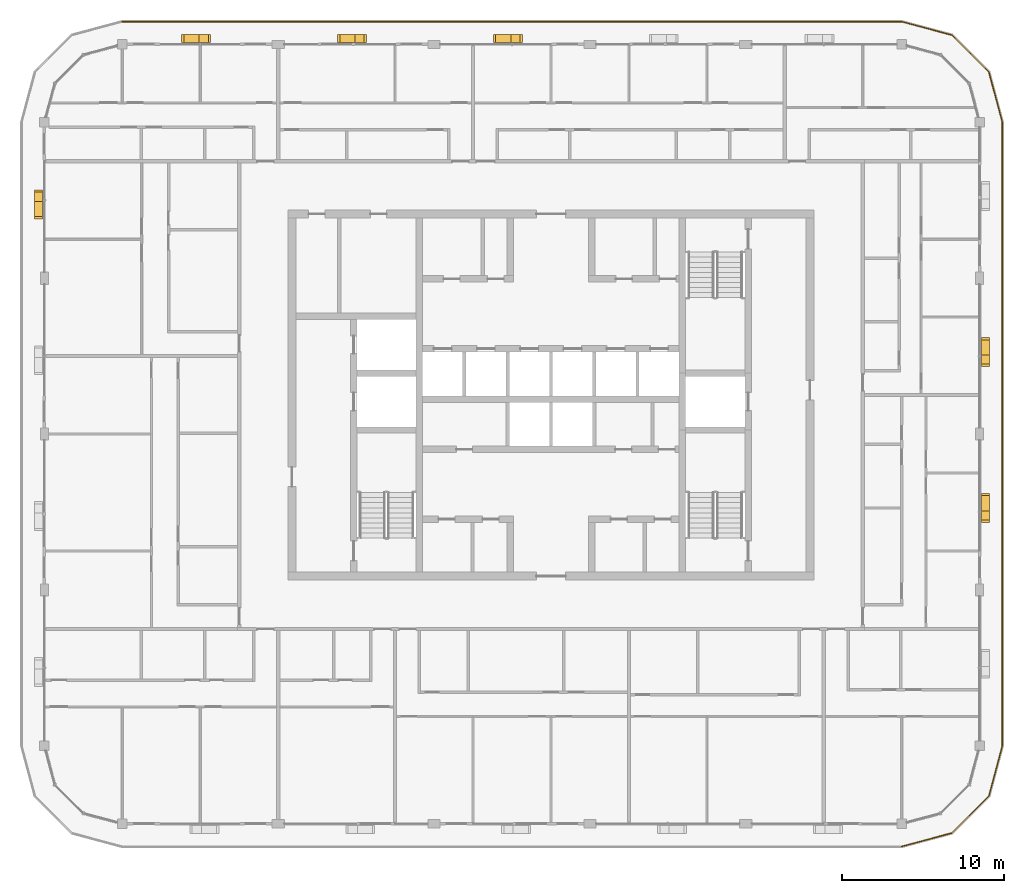
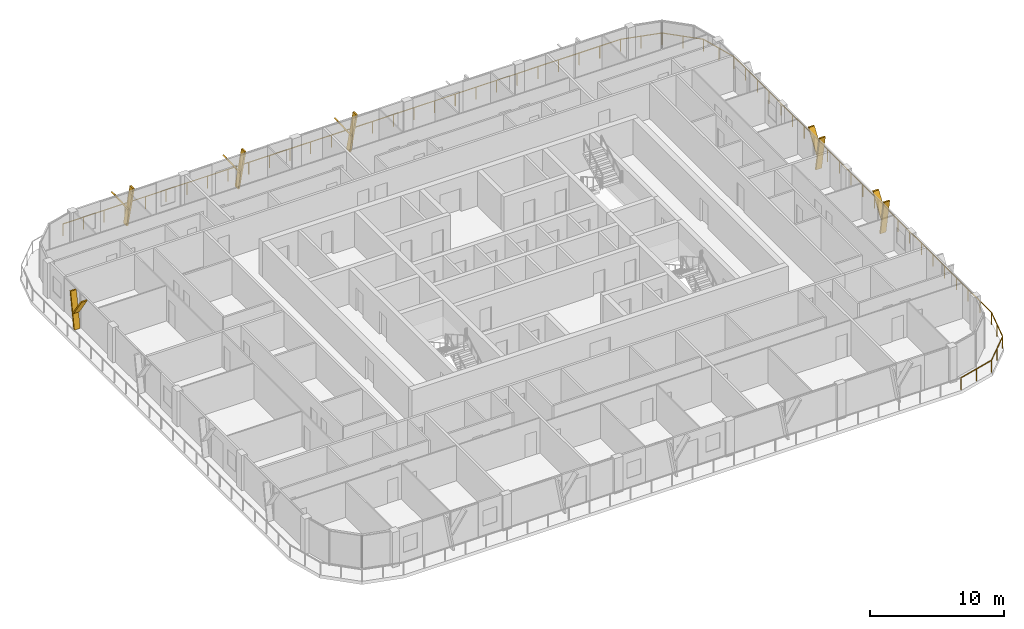
# One storey, part 21 of 22: 12 shading devices, 1 railing.
"""IFC4 building model written with IfcOpenShell, lengths in metres."""

from ifc_helpers import new_model, si_unit, direction, frame, origin, origin_2d, place, context, subcontext, project, spatial, polyline, circle, outline, extrude, material, type_object, element, save


model = new_model("IFC4")

# Units and contexts
model_context = context("Model", 3, precision=1e-05, world=origin(), true_north=direction((0.0, 1.0)))
body_context = subcontext(model_context, "Body", "Model", "MODEL_VIEW")
ifc_project = project(units=[si_unit("LENGTHUNIT", "METRE"), si_unit("AREAUNIT", "SQUARE_METRE"), si_unit("VOLUMEUNIT", "CUBIC_METRE"), si_unit("PLANEANGLEUNIT", "RADIAN"), si_unit("MASSUNIT", "GRAM", prefix="KILO")], contexts=[model_context])

# Site, building, storey
site_placement = place(None, origin())
site = spatial("IfcSite", under=ifc_project, at=site_placement, CompositionType="ELEMENT")
building_placement = place(site_placement, origin())
building = spatial("IfcBuilding", under=site, at=building_placement, Name="Madar Terraces", CompositionType="ELEMENT")
storey_placement = place(building_placement, frame((0.0, 0.0, 282.60009765625)))
storey = spatial("IfcBuildingStorey", under=building, at=storey_placement, Name="L74", CompositionType="ELEMENT", Elevation=282.60009765625)

# Railing
ifc_material_1 = material(Name="Glass, safety glazing, with stainless steel posts", Category="steel")
railing_type = type_object("IfcRailingType", Name="Balcony glass guard 1100", PredefinedType="GUARDRAIL", material=ifc_material_1)
railing_placement = place(storey_placement, frame((52.800048828125, -1.39990234375, 0.0)))
element("IfcRailing", 1, at=railing_placement, inside=storey, type_object=railing_type, Name="Balcony guard", PredefinedType="GUARDRAIL", context=body_context, shape_type="SweptSolid", body=[
    extrude(circle(Radius=0.02392578125, at=origin_2d()), frame((0.0, 0.0, 1.076171875), z_axis=(0.965928696102, 0.258808334578, 0.0), x_axis=(-0.258808334578, 0.965928696102, 0.0)), (0.0, 0.0, 1.0), 3.209228515625),
    extrude(circle(Radius=0.02392578125, at=origin_2d()), frame((3.099853515625, 0.83056640625, 1.076171875), z_axis=(0.707144815061, 0.707068745266, 0.0), x_axis=(-0.707068745266, 0.707144815061, 0.0)), (0.0, 0.0, 1.0), 3.20947265625),
    extrude(circle(Radius=0.02392578125, at=origin_2d()), frame((5.369384765625, 3.099853515625, 1.076171875), z_axis=(0.258789317819, 0.9659337912, 0.0), x_axis=(-0.9659337912, 0.258789317819, 0.0)), (0.0, 0.0, 1.0), 3.20947265625),
    extrude(circle(Radius=0.02392578125, at=origin_2d()), frame((6.199951171875, 6.199951171875, 1.076171875), z_axis=(0.0, 1.0, 0.0), x_axis=(-1.0, 0.0, 0.0)), (0.0, 0.0, 1.0), 38.39990234375),
    extrude(circle(Radius=0.02392578125, at=origin_2d()), frame((6.199951171875, 44.599853515625, 1.076171875), z_axis=(-0.258789317819, 0.9659337912, 0.0), x_axis=(-0.9659337912, -0.258789317819, 0.0)), (0.0, 0.0, 1.0), 3.20947265625),
    extrude(circle(Radius=0.02392578125, at=origin_2d()), frame((5.369384765625, 47.699951171875, 1.076171875), z_axis=(-0.707144815061, 0.707068745266, 0.0), x_axis=(-0.707068745266, -0.707144815061, 0.0)), (0.0, 0.0, 1.0), 3.20947265625),
    extrude(circle(Radius=0.02392578125, at=origin_2d()), frame((3.099853515625, 49.96923828125, 1.076171875), z_axis=(-0.965928696102, 0.258808334578, 0.0), x_axis=(-0.258808334578, -0.965928696102, 0.0)), (0.0, 0.0, 1.0), 3.209228515625),
    extrude(circle(Radius=0.02392578125, at=origin_2d()), frame((0.0, 50.7998046875, 1.076171875), z_axis=(-1.0, 0.0, 0.0), x_axis=(0.0, -1.0, 0.0)), (0.0, 0.0, 1.0), 48.0),
    extrude(circle(Radius=0.02099609375, at=origin_2d()), origin(), (0.0, 0.0, 1.0), 1.052001953125),
    extrude(circle(Radius=0.02099609375, at=origin_2d()), frame((1.5498046875, 0.415283203125, 0.0)), (0.0, 0.0, 1.0), 1.052001953125),
    extrude(circle(Radius=0.02099609375, at=origin_2d()), frame((3.099853515625, 0.83056640625, 0.0)), (0.0, 0.0, 1.0), 1.052001953125),
    extrude(circle(Radius=0.02099609375, at=origin_2d()), frame((4.234619140625, 1.96533203125, 0.0)), (0.0, 0.0, 1.0), 1.052001953125),
    extrude(circle(Radius=0.02099609375, at=origin_2d()), frame((5.369384765625, 3.099853515625, 0.0)), (0.0, 0.0, 1.0), 1.052001953125),
    extrude(circle(Radius=0.02099609375, at=origin_2d()), frame((5.78466796875, 4.64990234375, 0.0)), (0.0, 0.0, 1.0), 1.052001953125),
    extrude(circle(Radius=0.02099609375, at=origin_2d()), frame((6.199951171875, 6.199951171875, 0.0)), (0.0, 0.0, 1.0), 1.052001953125),
    extrude(circle(Radius=0.02099609375, at=origin_2d()), frame((6.199951171875, 7.9453125, 0.0)), (0.0, 0.0, 1.0), 1.052001953125),
    extrude(circle(Radius=0.02099609375, at=origin_2d()), frame((6.199951171875, 9.69091796875, 0.0)), (0.0, 0.0, 1.0), 1.052001953125),
    extrude(circle(Radius=0.02099609375, at=origin_2d()), frame((6.199951171875, 11.436279296875, 0.0)), (0.0, 0.0, 1.0), 1.052001953125),
    extrude(circle(Radius=0.02099609375, at=origin_2d()), frame((6.199951171875, 13.181640625, 0.0)), (0.0, 0.0, 1.0), 1.052001953125),
    extrude(circle(Radius=0.02099609375, at=origin_2d()), frame((6.199951171875, 14.92724609375, 0.0)), (0.0, 0.0, 1.0), 1.052001953125),
    extrude(circle(Radius=0.02099609375, at=origin_2d()), frame((6.199951171875, 16.672607421875, 0.0)), (0.0, 0.0, 1.0), 1.052001953125),
    extrude(circle(Radius=0.02099609375, at=origin_2d()), frame((6.199951171875, 18.418212890625, 0.0)), (0.0, 0.0, 1.0), 1.052001953125),
    extrude(circle(Radius=0.02099609375, at=origin_2d()), frame((6.199951171875, 20.16357421875, 0.0)), (0.0, 0.0, 1.0), 1.052001953125),
    extrude(circle(Radius=0.02099609375, at=origin_2d()), frame((6.199951171875, 21.908935546875, 0.0)), (0.0, 0.0, 1.0), 1.052001953125),
    extrude(circle(Radius=0.02099609375, at=origin_2d()), frame((6.199951171875, 23.654541015625, 0.0)), (0.0, 0.0, 1.0), 1.052001953125),
    extrude(circle(Radius=0.02099609375, at=origin_2d()), frame((6.199951171875, 25.39990234375, 0.0)), (0.0, 0.0, 1.0), 1.052001953125),
    extrude(circle(Radius=0.02099609375, at=origin_2d()), frame((6.199951171875, 27.145263671875, 0.0)), (0.0, 0.0, 1.0), 1.052001953125),
    extrude(circle(Radius=0.02099609375, at=origin_2d()), frame((6.199951171875, 28.890869140625, 0.0)), (0.0, 0.0, 1.0), 1.052001953125),
    extrude(circle(Radius=0.02099609375, at=origin_2d()), frame((6.199951171875, 30.63623046875, 0.0)), (0.0, 0.0, 1.0), 1.052001953125),
    extrude(circle(Radius=0.02099609375, at=origin_2d()), frame((6.199951171875, 32.381591796875, 0.0)), (0.0, 0.0, 1.0), 1.052001953125),
    extrude(circle(Radius=0.02099609375, at=origin_2d()), frame((6.199951171875, 34.127197265625, 0.0)), (0.0, 0.0, 1.0), 1.052001953125),
    extrude(circle(Radius=0.02099609375, at=origin_2d()), frame((6.199951171875, 35.87255859375, 0.0)), (0.0, 0.0, 1.0), 1.052001953125),
    extrude(circle(Radius=0.02099609375, at=origin_2d()), frame((6.199951171875, 37.6181640625, 0.0)), (0.0, 0.0, 1.0), 1.052001953125),
    extrude(circle(Radius=0.02099609375, at=origin_2d()), frame((6.199951171875, 39.363525390625, 0.0)), (0.0, 0.0, 1.0), 1.052001953125),
    extrude(circle(Radius=0.02099609375, at=origin_2d()), frame((6.199951171875, 41.10888671875, 0.0)), (0.0, 0.0, 1.0), 1.052001953125),
    extrude(circle(Radius=0.02099609375, at=origin_2d()), frame((6.199951171875, 42.8544921875, 0.0)), (0.0, 0.0, 1.0), 1.052001953125),
    extrude(circle(Radius=0.02099609375, at=origin_2d()), frame((6.199951171875, 44.599853515625, 0.0)), (0.0, 0.0, 1.0), 1.052001953125),
    extrude(circle(Radius=0.02099609375, at=origin_2d()), frame((5.78466796875, 46.14990234375, 0.0)), (0.0, 0.0, 1.0), 1.052001953125),
    extrude(circle(Radius=0.02099609375, at=origin_2d()), frame((5.369384765625, 47.699951171875, 0.0)), (0.0, 0.0, 1.0), 1.052001953125),
    extrude(circle(Radius=0.02099609375, at=origin_2d()), frame((4.234619140625, 48.83447265625, 0.0)), (0.0, 0.0, 1.0), 1.052001953125),
    extrude(circle(Radius=0.02099609375, at=origin_2d()), frame((3.099853515625, 49.96923828125, 0.0)), (0.0, 0.0, 1.0), 1.052001953125),
    extrude(circle(Radius=0.02099609375, at=origin_2d()), frame((1.5498046875, 50.384521484375, 0.0)), (0.0, 0.0, 1.0), 1.052001953125),
    extrude(circle(Radius=0.02099609375, at=origin_2d()), frame((0.0, 50.7998046875, 0.0)), (0.0, 0.0, 1.0), 1.052001953125),
    extrude(circle(Radius=0.02099609375, at=origin_2d()), frame((-1.77783203125, 50.7998046875, 0.0)), (0.0, 0.0, 1.0), 1.052001953125),
    extrude(circle(Radius=0.02099609375, at=origin_2d()), frame((-3.5556640625, 50.7998046875, 0.0)), (0.0, 0.0, 1.0), 1.052001953125),
    extrude(circle(Radius=0.02099609375, at=origin_2d()), frame((-5.333251953125, 50.7998046875, 0.0)), (0.0, 0.0, 1.0), 1.052001953125),
    extrude(circle(Radius=0.02099609375, at=origin_2d()), frame((-7.111083984375, 50.7998046875, 0.0)), (0.0, 0.0, 1.0), 1.052001953125),
    extrude(circle(Radius=0.02099609375, at=origin_2d()), frame((-8.888916015625, 50.7998046875, 0.0)), (0.0, 0.0, 1.0), 1.052001953125),
    extrude(circle(Radius=0.02099609375, at=origin_2d()), frame((-10.666748046875, 50.7998046875, 0.0)), (0.0, 0.0, 1.0), 1.052001953125),
    extrude(circle(Radius=0.02099609375, at=origin_2d()), frame((-12.4443359375, 50.7998046875, 0.0)), (0.0, 0.0, 1.0), 1.052001953125),
    extrude(circle(Radius=0.02099609375, at=origin_2d()), frame((-14.22216796875, 50.7998046875, 0.0)), (0.0, 0.0, 1.0), 1.052001953125),
    extrude(circle(Radius=0.02099609375, at=origin_2d()), frame((-16.0, 50.7998046875, 0.0)), (0.0, 0.0, 1.0), 1.052001953125),
    extrude(circle(Radius=0.02099609375, at=origin_2d()), frame((-17.77783203125, 50.7998046875, 0.0)), (0.0, 0.0, 1.0), 1.052001953125),
    extrude(circle(Radius=0.02099609375, at=origin_2d()), frame((-19.5556640625, 50.7998046875, 0.0)), (0.0, 0.0, 1.0), 1.052001953125),
    extrude(circle(Radius=0.02099609375, at=origin_2d()), frame((-21.333251953125, 50.7998046875, 0.0)), (0.0, 0.0, 1.0), 1.052001953125),
    extrude(circle(Radius=0.02099609375, at=origin_2d()), frame((-23.111083984375, 50.7998046875, 0.0)), (0.0, 0.0, 1.0), 1.052001953125),
    extrude(circle(Radius=0.02099609375, at=origin_2d()), frame((-24.888916015625, 50.7998046875, 0.0)), (0.0, 0.0, 1.0), 1.052001953125),
    extrude(circle(Radius=0.02099609375, at=origin_2d()), frame((-26.666748046875, 50.7998046875, 0.0)), (0.0, 0.0, 1.0), 1.052001953125),
    extrude(circle(Radius=0.02099609375, at=origin_2d()), frame((-28.4443359375, 50.7998046875, 0.0)), (0.0, 0.0, 1.0), 1.052001953125),
    extrude(circle(Radius=0.02099609375, at=origin_2d()), frame((-30.22216796875, 50.7998046875, 0.0)), (0.0, 0.0, 1.0), 1.052001953125),
    extrude(circle(Radius=0.02099609375, at=origin_2d()), frame((-32.0, 50.7998046875, 0.0)), (0.0, 0.0, 1.0), 1.052001953125),
    extrude(circle(Radius=0.02099609375, at=origin_2d()), frame((-33.77783203125, 50.7998046875, 0.0)), (0.0, 0.0, 1.0), 1.052001953125),
    extrude(circle(Radius=0.02099609375, at=origin_2d()), frame((-35.5556640625, 50.7998046875, 0.0)), (0.0, 0.0, 1.0), 1.052001953125),
    extrude(circle(Radius=0.02099609375, at=origin_2d()), frame((-37.333251953125, 50.7998046875, 0.0)), (0.0, 0.0, 1.0), 1.052001953125),
    extrude(circle(Radius=0.02099609375, at=origin_2d()), frame((-39.111083984375, 50.7998046875, 0.0)), (0.0, 0.0, 1.0), 1.052001953125),
    extrude(circle(Radius=0.02099609375, at=origin_2d()), frame((-40.888916015625, 50.7998046875, 0.0)), (0.0, 0.0, 1.0), 1.052001953125),
    extrude(circle(Radius=0.02099609375, at=origin_2d()), frame((-42.666748046875, 50.7998046875, 0.0)), (0.0, 0.0, 1.0), 1.052001953125),
    extrude(circle(Radius=0.02099609375, at=origin_2d()), frame((-44.4443359375, 50.7998046875, 0.0)), (0.0, 0.0, 1.0), 1.052001953125),
    extrude(circle(Radius=0.02099609375, at=origin_2d()), frame((-46.22216796875, 50.7998046875, 0.0)), (0.0, 0.0, 1.0), 1.052001953125),
    extrude(circle(Radius=0.02099609375, at=origin_2d()), frame((-48.0, 50.7998046875, 0.0)), (0.0, 0.0, 1.0), 1.052001953125),
])

# Shading devices
ifc_material_2 = material(Name="Aluminium, black anodised", Category="aluminium")
shading_device_type = type_object("IfcShadingDeviceType", Name="Facade fin blade 140 x 500", PredefinedType="USERDEFINED", material=ifc_material_2)
shading_device_1_placement = place(storey_placement, frame((57.949951171875, 19.1298828125, 0.0), z_axis=(0.0, 0.0, 1.0), x_axis=(0.0, 1.0, 0.0)))
element("IfcShadingDevice", 2, at=shading_device_1_placement, inside=storey, type_object=shading_device_type, Name="FIN L74 E2", ObjectType="FIN", PredefinedType="USERDEFINED", context=body_context, shape_type="SweptSolid", body=[
    extrude(outline(polyline([(0.0, 0.0), (0.14013671875, 0.0), (-0.42431640625, 3.199951171875), (-0.564208984375, 3.199951171875), (0.0, 0.0)])), frame((0.0, 0.25, 0.0), z_axis=(0.0, -1.0, 0.0), x_axis=(1.0, 0.0, 0.0)), (0.0, 0.0, 1.0), 0.5),
])
shading_device_2_placement = place(storey_placement, frame((57.949951171875, 19.01611328125, 1.43994140625), z_axis=(0.0, 0.0, 1.0), x_axis=(0.0, 1.0, 0.0)))
element("IfcShadingDevice", 3, at=shading_device_2_placement, inside=storey, type_object=shading_device_type, Name="FIN L74 E2 branch", ObjectType="FIN", PredefinedType="USERDEFINED", context=body_context, shape_type="SweptSolid", body=[
    extrude(outline(polyline([(0.0, 0.0), (0.139892578125, 0.0), (1.32958984375, 1.760009765625), (1.189697265625, 1.760009765625), (0.0, 0.0)])), frame((0.0, 0.25, 0.0), z_axis=(0.0, -1.0, 0.0), x_axis=(1.0, 0.0, 0.0)), (0.0, 0.0, 1.0), 0.5),
])
shading_device_3_placement = place(storey_placement, frame((57.949951171875, 28.72998046875, 0.0), z_axis=(0.0, 0.0, 1.0), x_axis=(0.0, 1.0, 0.0)))
element("IfcShadingDevice", 4, at=shading_device_3_placement, inside=storey, type_object=shading_device_type, Name="FIN L74 E3", ObjectType="FIN", PredefinedType="USERDEFINED", context=body_context, shape_type="SweptSolid", body=[
    extrude(outline(polyline([(0.0, 0.0), (0.14013671875, 0.0), (-0.42431640625, 3.199951171875), (-0.564208984375, 3.199951171875), (0.0, 0.0)])), frame((0.0, 0.25, 0.0), z_axis=(0.0, -1.0, 0.0), x_axis=(1.0, 0.0, 0.0)), (0.0, 0.0, 1.0), 0.5),
])
shading_device_4_placement = place(storey_placement, frame((57.949951171875, 28.6162109375, 1.43994140625), z_axis=(0.0, 0.0, 1.0), x_axis=(0.0, 1.0, 0.0)))
element("IfcShadingDevice", 5, at=shading_device_4_placement, inside=storey, type_object=shading_device_type, Name="FIN L74 E3 branch", ObjectType="FIN", PredefinedType="USERDEFINED", context=body_context, shape_type="SweptSolid", body=[
    extrude(outline(polyline([(0.0, 0.0), (0.139892578125, 0.0), (1.32958984375, 1.760009765625), (1.189697265625, 1.760009765625), (0.0, 0.0)])), frame((0.0, 0.25, 0.0), z_axis=(0.0, -1.0, 0.0), x_axis=(1.0, 0.0, 0.0)), (0.0, 0.0, 1.0), 0.5),
])
shading_device_5_placement = place(storey_placement, frame((28.8701171875, 48.35009765625, 0.0), z_axis=(0.0, 0.0, 1.0), x_axis=(-1.0, 0.0, 0.0)))
element("IfcShadingDevice", 6, at=shading_device_5_placement, inside=storey, type_object=shading_device_type, Name="FIN L74 N3", ObjectType="FIN", PredefinedType="USERDEFINED", context=body_context, shape_type="SweptSolid", body=[
    extrude(outline(polyline([(0.0, 0.0), (0.14013671875, 0.0), (-0.42431640625, 3.199951171875), (-0.564208984375, 3.199951171875), (0.0, 0.0)])), frame((0.0, 0.25, 0.0), z_axis=(0.0, -1.0, 0.0), x_axis=(1.0, 0.0, 0.0)), (0.0, 0.0, 1.0), 0.5),
])
shading_device_6_placement = place(storey_placement, frame((28.98388671875, 48.35009765625, 1.43994140625), z_axis=(0.0, 0.0, 1.0), x_axis=(-1.0, 0.0, 0.0)))
element("IfcShadingDevice", 7, at=shading_device_6_placement, inside=storey, type_object=shading_device_type, Name="FIN L74 N3 branch", ObjectType="FIN", PredefinedType="USERDEFINED", context=body_context, shape_type="SweptSolid", body=[
    extrude(outline(polyline([(0.0, 0.0), (0.139892578125, 0.0), (1.32958984375, 1.760009765625), (1.189697265625, 1.760009765625), (0.0, 0.0)])), frame((0.0, 0.25, 0.0), z_axis=(0.0, -1.0, 0.0), x_axis=(1.0, 0.0, 0.0)), (0.0, 0.0, 1.0), 0.5),
])
shading_device_7_placement = place(storey_placement, frame((19.27001953125, 48.35009765625, 0.0), z_axis=(0.0, 0.0, 1.0), x_axis=(-1.0, 0.0, 0.0)))
element("IfcShadingDevice", 8, at=shading_device_7_placement, inside=storey, type_object=shading_device_type, Name="FIN L74 N4", ObjectType="FIN", PredefinedType="USERDEFINED", context=body_context, shape_type="SweptSolid", body=[
    extrude(outline(polyline([(0.0, 0.0), (0.14013671875, 0.0), (-0.42431640625, 3.199951171875), (-0.564208984375, 3.199951171875), (0.0, 0.0)])), frame((0.0, 0.25, 0.0), z_axis=(0.0, -1.0, 0.0), x_axis=(1.0, 0.0, 0.0)), (0.0, 0.0, 1.0), 0.5),
])
shading_device_8_placement = place(storey_placement, frame((19.3837890625, 48.35009765625, 1.43994140625), z_axis=(0.0, 0.0, 1.0), x_axis=(-1.0, 0.0, 0.0)))
element("IfcShadingDevice", 9, at=shading_device_8_placement, inside=storey, type_object=shading_device_type, Name="FIN L74 N4 branch", ObjectType="FIN", PredefinedType="USERDEFINED", context=body_context, shape_type="SweptSolid", body=[
    extrude(outline(polyline([(0.0, 0.0), (0.139892578125, 0.0), (1.32958984375, 1.760009765625), (1.189697265625, 1.760009765625), (0.0, 0.0)])), frame((0.0, 0.25, 0.0), z_axis=(0.0, -1.0, 0.0), x_axis=(1.0, 0.0, 0.0)), (0.0, 0.0, 1.0), 0.5),
])
shading_device_9_placement = place(storey_placement, frame((9.669921875, 48.35009765625, 0.0), z_axis=(0.0, 0.0, 1.0), x_axis=(-1.0, 0.0, 0.0)))
element("IfcShadingDevice", 10, at=shading_device_9_placement, inside=storey, type_object=shading_device_type, Name="FIN L74 N5", ObjectType="FIN", PredefinedType="USERDEFINED", context=body_context, shape_type="SweptSolid", body=[
    extrude(outline(polyline([(0.0, 0.0), (0.139892578125, 0.0), (-0.42431640625, 3.199951171875), (-0.564208984375, 3.199951171875), (0.0, 0.0)])), frame((0.0, 0.25, 0.0), z_axis=(0.0, -1.0, 0.0), x_axis=(1.0, 0.0, 0.0)), (0.0, 0.0, 1.0), 0.5),
])
shading_device_10_placement = place(storey_placement, frame((9.783935546875, 48.35009765625, 1.43994140625), z_axis=(0.0, 0.0, 1.0), x_axis=(-1.0, 0.0, 0.0)))
element("IfcShadingDevice", 11, at=shading_device_10_placement, inside=storey, type_object=shading_device_type, Name="FIN L74 N5 branch", ObjectType="FIN", PredefinedType="USERDEFINED", context=body_context, shape_type="SweptSolid", body=[
    extrude(outline(polyline([(0.0, 0.0), (0.14013671875, 0.0), (1.32958984375, 1.760009765625), (1.189697265625, 1.760009765625), (0.0, 0.0)])), frame((0.0, 0.25, 0.0), z_axis=(0.0, -1.0, 0.0), x_axis=(1.0, 0.0, 0.0)), (0.0, 0.0, 1.0), 0.5),
])
shading_device_11_placement = place(storey_placement, frame((-0.35009765625, 38.469970703125, 0.0), z_axis=(0.0, 0.0, 1.0), x_axis=(0.0, -1.0, 0.0)))
element("IfcShadingDevice", 12, at=shading_device_11_placement, inside=storey, type_object=shading_device_type, Name="FIN L74 W1", ObjectType="FIN", PredefinedType="USERDEFINED", context=body_context, shape_type="SweptSolid", body=[
    extrude(outline(polyline([(0.0, 0.0), (0.139892578125, 0.0), (-0.42431640625, 3.199951171875), (-0.564208984375, 3.199951171875), (0.0, 0.0)])), frame((0.0, 0.25, 0.0), z_axis=(0.0, -1.0, 0.0), x_axis=(1.0, 0.0, 0.0)), (0.0, 0.0, 1.0), 0.5),
])
shading_device_12_placement = place(storey_placement, frame((-0.35009765625, 38.583984375, 1.43994140625), z_axis=(0.0, 0.0, 1.0), x_axis=(0.0, -1.0, 0.0)))
element("IfcShadingDevice", 13, at=shading_device_12_placement, inside=storey, type_object=shading_device_type, Name="FIN L74 W1 branch", ObjectType="FIN", PredefinedType="USERDEFINED", context=body_context, shape_type="SweptSolid", body=[
    extrude(outline(polyline([(0.0, 0.0), (0.14013671875, 0.0), (1.32958984375, 1.760009765625), (1.189697265625, 1.760009765625), (0.0, 0.0)])), frame((0.0, 0.25, 0.0), z_axis=(0.0, -1.0, 0.0), x_axis=(1.0, 0.0, 0.0)), (0.0, 0.0, 1.0), 0.5),
])

save(model, "model.ifc")
